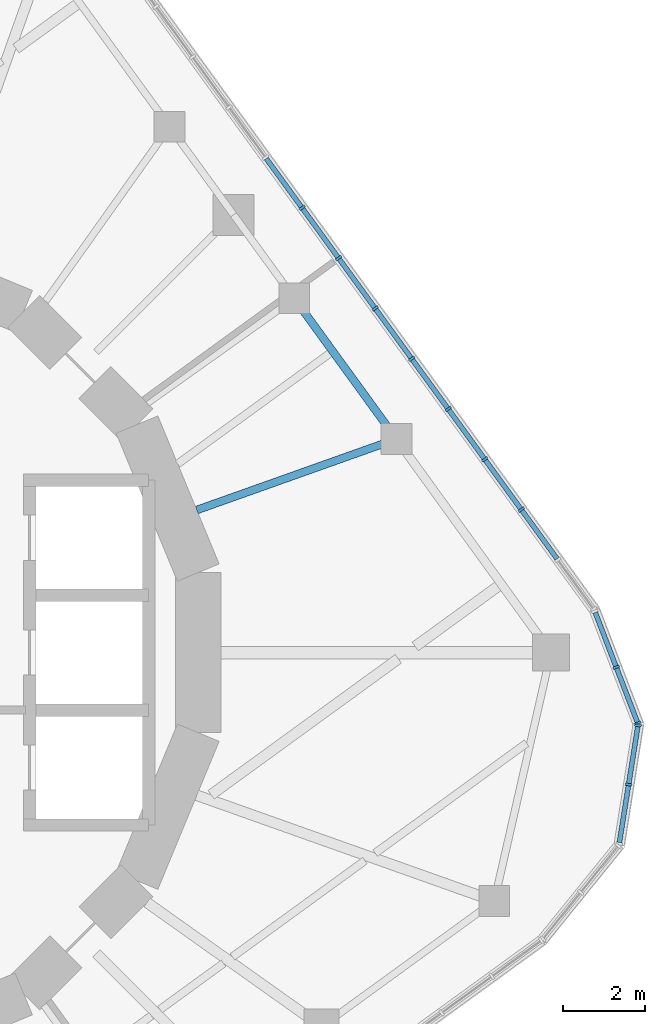
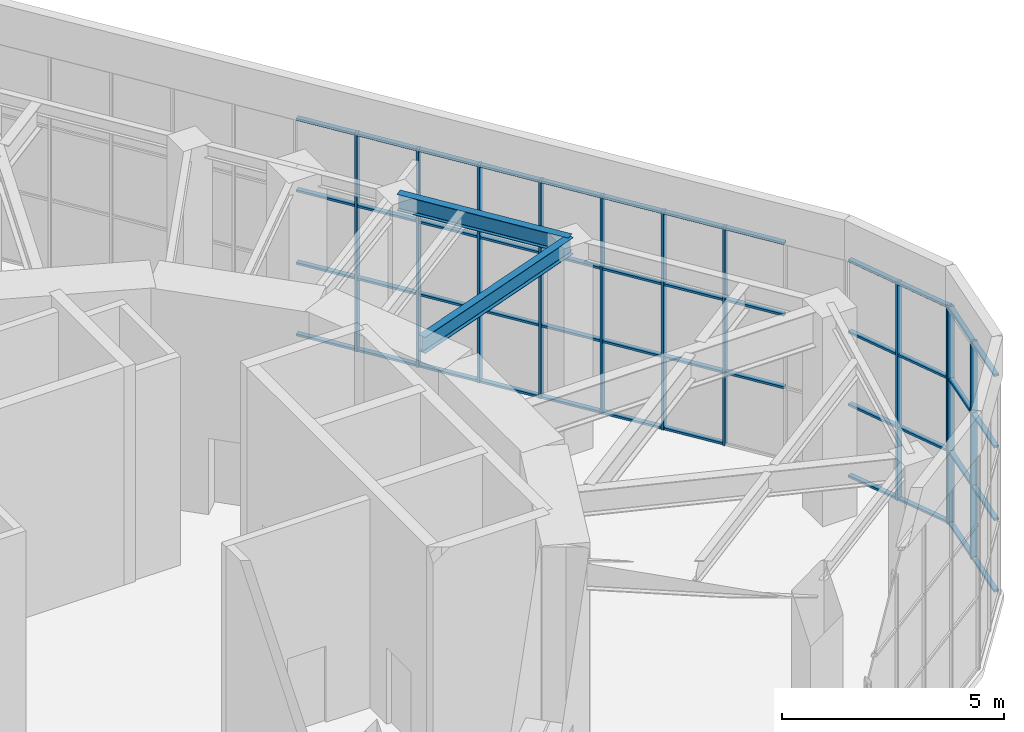
# One storey, part 8 of 17: 58 members, 2 beams, 3 elements without a shape of their own.
"""IFC4 building model written with IfcOpenShell, lengths in metres."""

from ifc_helpers import new_model, si_unit, direction, frame, origin, origin_2d, place, context, subcontext, project, spatial, rectangle, i_section, extrude, material, material_profile, profile_set, type_object, element, aggregate, save


model = new_model("IFC4")

# Units and contexts
model_context = context("Model", 3, precision=1e-05, world=origin(), true_north=direction((0.0, 1.0)))
body_context = subcontext(model_context, "Body", "Model", "MODEL_VIEW")
ifc_project = project(units=[si_unit("LENGTHUNIT", "METRE"), si_unit("AREAUNIT", "SQUARE_METRE"), si_unit("VOLUMEUNIT", "CUBIC_METRE"), si_unit("PLANEANGLEUNIT", "RADIAN"), si_unit("MASSUNIT", "GRAM", prefix="KILO")], contexts=[model_context])

# Site, building, storey
site_placement = place(None, origin())
site = spatial("IfcSite", under=ifc_project, at=site_placement, CompositionType="ELEMENT")
building_placement = place(site_placement, origin())
building = spatial("IfcBuilding", under=site, at=building_placement, Name="Nakasero Lantern House", CompositionType="ELEMENT")
storey_placement = place(building_placement, frame((0.0, 0.0, 304.39990234375)))
storey = spatial("IfcBuildingStorey", under=building, at=storey_placement, Name="L74", CompositionType="ELEMENT", Elevation=304.39990234375)

# Curtain wall, members
ifc_material_1 = material(Name="Aluminium 6063-T6 and glass", Category="aluminium")
curtain_wall_type = type_object("IfcCurtainWallType", Name="Lantern glazing CW-4", PredefinedType="USERDEFINED", material=ifc_material_1)
curtain_wall_1_placement = place(storey_placement, origin())
curtain_wall_1 = element("IfcCurtainWall", 1, at=curtain_wall_1_placement, inside=storey, type_object=curtain_wall_type, Name="Curtain wall CW-4 L74", ObjectType="UNITISED CURTAIN WALL", PredefinedType="USERDEFINED")
ifc_material_2 = material(Name="Aluminium 6063-T6", Category="aluminium")
ifc_material_profile_1 = material_profile(ifc_material_2, rectangle(XDim=0.06005859375, YDim=0.159912109375, at=origin_2d()), Name="CW-4 mullion 60x160")
ifc_profile_set_1 = profile_set([ifc_material_profile_1], Name="Aluminium 6063-T6")
member_type_1 = type_object("IfcMemberType", Name="Mullion CW-4", PredefinedType="MULLION", material=ifc_profile_set_1)
member_1_placement = place(storey_placement, frame((17.677734375, 3.48486328125, 0.0), z_axis=(0.0, 0.0, 1.0), x_axis=(-0.587785252292, 0.809016994375, 0.0)))
member_1 = element("IfcMember", 2, at=member_1_placement, type_object=member_type_1, Name="CW-4 mullion 3", PredefinedType="MULLION", context=body_context, shape_type="SweptSolid", body=[
    extrude(rectangle(XDim=0.06005859375, YDim=0.159912109375, at=origin_2d()), origin(), (0.0, 0.0, 1.0), 6.0),
])
member_2_placement = place(storey_placement, frame((16.787841796875, 4.7099609375, 0.0), z_axis=(0.0, 0.0, 1.0), x_axis=(-0.587785252292, 0.809016994375, 0.0)))
member_2 = element("IfcMember", 3, at=member_2_placement, type_object=member_type_1, Name="CW-4 mullion 4", PredefinedType="MULLION", context=body_context, shape_type="SweptSolid", body=[
    extrude(rectangle(XDim=0.06005859375, YDim=0.159912109375, at=origin_2d()), origin(), (0.0, 0.0, 1.0), 6.0),
])
member_3_placement = place(storey_placement, frame((15.897705078125, 5.93505859375, 0.0), z_axis=(0.0, 0.0, 1.0), x_axis=(-0.587785252292, 0.809016994375, 0.0)))
member_3 = element("IfcMember", 4, at=member_3_placement, type_object=member_type_1, Name="CW-4 mullion 5", PredefinedType="MULLION", context=body_context, shape_type="SweptSolid", body=[
    extrude(rectangle(XDim=0.06005859375, YDim=0.159912109375, at=origin_2d()), origin(), (0.0, 0.0, 1.0), 6.0),
])
member_4_placement = place(storey_placement, frame((15.007568359375, 7.16015625, 0.0), z_axis=(0.0, 0.0, 1.0), x_axis=(-0.587785252292, 0.809016994375, 0.0)))
member_4 = element("IfcMember", 5, at=member_4_placement, type_object=member_type_1, Name="CW-4 mullion 6", PredefinedType="MULLION", context=body_context, shape_type="SweptSolid", body=[
    extrude(rectangle(XDim=0.06005859375, YDim=0.159912109375, at=origin_2d()), origin(), (0.0, 0.0, 1.0), 6.0),
])
member_5_placement = place(storey_placement, frame((14.117431640625, 8.38525390625, 0.0), z_axis=(0.0, 0.0, 1.0), x_axis=(-0.587785252292, 0.809016994375, 0.0)))
member_5 = element("IfcMember", 6, at=member_5_placement, type_object=member_type_1, Name="CW-4 mullion 7", PredefinedType="MULLION", context=body_context, shape_type="SweptSolid", body=[
    extrude(rectangle(XDim=0.06005859375, YDim=0.159912109375, at=origin_2d()), origin(), (0.0, 0.0, 1.0), 6.0),
])
member_6_placement = place(storey_placement, frame((13.2275390625, 9.6103515625, 0.0), z_axis=(0.0, 0.0, 1.0), x_axis=(-0.587785252292, 0.809016994375, 0.0)))
member_6 = element("IfcMember", 7, at=member_6_placement, type_object=member_type_1, Name="CW-4 mullion 8", PredefinedType="MULLION", context=body_context, shape_type="SweptSolid", body=[
    extrude(rectangle(XDim=0.06005859375, YDim=0.159912109375, at=origin_2d()), origin(), (0.0, 0.0, 1.0), 6.0),
])
member_7_placement = place(storey_placement, frame((12.33740234375, 10.83544921875, 0.0), z_axis=(0.0, 0.0, 1.0), x_axis=(-0.587785252292, 0.809016994375, 0.0)))
member_7 = element("IfcMember", 8, at=member_7_placement, type_object=member_type_1, Name="CW-4 mullion 9", PredefinedType="MULLION", context=body_context, shape_type="SweptSolid", body=[
    extrude(rectangle(XDim=0.06005859375, YDim=0.159912109375, at=origin_2d()), origin(), (0.0, 0.0, 1.0), 6.0),
])

curtain_wall_2_placement = place(storey_placement, origin())
curtain_wall_2 = element("IfcCurtainWall", 9, at=curtain_wall_2_placement, inside=storey, type_object=curtain_wall_type, Name="Curtain wall CW-4 L74", ObjectType="UNITISED CURTAIN WALL", PredefinedType="USERDEFINED")
member_8_placement = place(storey_placement, frame((20.291748046875, -3.2138671875, 0.0), z_axis=(0.0, 0.0, 1.0), x_axis=(0.15643446504, 0.987688340595, 0.0)))
member_8 = element("IfcMember", 10, at=member_8_placement, type_object=member_type_1, Name="CW-4 mullion 2", PredefinedType="MULLION", context=body_context, shape_type="SweptSolid", body=[
    extrude(rectangle(XDim=0.06005859375, YDim=0.159912109375, at=origin_2d()), origin(), (0.0, 0.0, 1.0), 6.0),
])
member_9_placement = place(storey_placement, frame((20.52001953125, -1.773681640625, 0.0), z_axis=(0.0, 0.0, 1.0), x_axis=(0.15643446504, 0.987688340595, 0.0)))
member_9 = element("IfcMember", 11, at=member_9_placement, type_object=member_type_1, Name="CW-4 mullion 3", PredefinedType="MULLION", context=body_context, shape_type="SweptSolid", body=[
    extrude(rectangle(XDim=0.06005859375, YDim=0.159912109375, at=origin_2d()), origin(), (0.0, 0.0, 1.0), 6.0),
])

curtain_wall_3_placement = place(storey_placement, origin())
curtain_wall_3 = element("IfcCurtainWall", 12, at=curtain_wall_3_placement, inside=storey, type_object=curtain_wall_type, Name="Curtain wall CW-4 L74", ObjectType="UNITISED CURTAIN WALL", PredefinedType="USERDEFINED")
member_10_placement = place(storey_placement, frame((20.513916015625, -1.716064453125, 0.0), z_axis=(0.0, 0.0, 1.0), x_axis=(-0.358367949545, 0.933580426497, 0.0)))
member_10 = element("IfcMember", 13, at=member_10_placement, type_object=member_type_1, Name="CW-4 mullion 1", PredefinedType="MULLION", context=body_context, shape_type="SweptSolid", body=[
    extrude(rectangle(XDim=0.06005859375, YDim=0.159912109375, at=origin_2d()), origin(), (0.0, 0.0, 1.0), 6.0),
])
member_11_placement = place(storey_placement, frame((19.9912109375, -0.354736328125, 0.0), z_axis=(0.0, 0.0, 1.0), x_axis=(-0.358367949545, 0.933580426497, 0.0)))
member_11 = element("IfcMember", 14, at=member_11_placement, type_object=member_type_1, Name="CW-4 mullion 2", PredefinedType="MULLION", context=body_context, shape_type="SweptSolid", body=[
    extrude(rectangle(XDim=0.06005859375, YDim=0.159912109375, at=origin_2d()), origin(), (0.0, 0.0, 1.0), 6.0),
])

# Beams
ifc_material_3 = material(Name="Steel S355", Category="steel")
ifc_material_profile_2 = material_profile(ifc_material_3, i_section(OverallWidth=0.18994140625, OverallDepth=0.453369140625, WebThickness=0.008544921875, FlangeThickness=0.0126953125, FilletRadius=0.01025390625, at=origin_2d()), Name="UB 457x191x67")
ifc_profile_set_2 = profile_set([ifc_material_profile_2], Name="Steel S355")
beam_type_1 = type_object("IfcBeamType", Name="Primary beam UB 457x191x67, span to 6 m", PredefinedType="BEAM", material=ifc_profile_set_2)
beam_1_placement = place(storey_placement, frame((14.636474609375, 5.2041015625, 5.5234375), z_axis=(-0.942221324153, -0.3349910093, 0.0), x_axis=(0.3349910093, -0.942221324153, 0.0)))
element("IfcBeam", 15, at=beam_1_placement, inside=storey, type_object=beam_type_1, Name="Primary beam ROOF B7-C04", PredefinedType="BEAM", context=body_context, shape_type="SweptSolid", body=[
    extrude(i_section(OverallWidth=0.18994140625, OverallDepth=0.453369140625, WebThickness=0.008544921875, FlangeThickness=0.0126953125, FilletRadius=0.01025390625, at=origin_2d()), origin(), (0.0, 0.0, 1.0), 5.162841796875),
])
ifc_material_4 = material(Name="Steel S355", Category="steel")
ifc_material_profile_3 = material_profile(ifc_material_4, i_section(OverallWidth=0.18994140625, OverallDepth=0.453369140625, WebThickness=0.008544921875, FlangeThickness=0.0126953125, FilletRadius=0.01025390625, at=origin_2d()), Name="UB 457x191x67")
ifc_profile_set_3 = profile_set([ifc_material_profile_3], Name="Steel S355")
beam_type_2 = type_object("IfcBeamType", Name="Ring beam UB 457x191x67", PredefinedType="BEAM", material=ifc_profile_set_3)
beam_2_placement = place(storey_placement, frame((14.636474609375, 5.2041015625, 5.5234375), z_axis=(-0.587791706687, 0.809012304944, 0.0), x_axis=(-0.809012304944, -0.587791706687, 0.0)))
element("IfcBeam", 16, at=beam_2_placement, inside=storey, type_object=beam_type_2, Name="Ring beam ROOF B7-C04", PredefinedType="BEAM", context=body_context, shape_type="SweptSolid", body=[
    extrude(i_section(OverallWidth=0.18994140625, OverallDepth=0.453369140625, WebThickness=0.008544921875, FlangeThickness=0.0126953125, FilletRadius=0.01025390625, at=origin_2d()), origin(), (0.0, 0.0, 1.0), 4.2412109375),
])

# Member
ifc_material_5 = material(Name="Aluminium 6063-T6", Category="aluminium")
ifc_material_profile_4 = material_profile(ifc_material_5, rectangle(XDim=0.06005859375, YDim=0.1201171875, at=origin_2d()), Name="CW-4 transom 60x120")
ifc_profile_set_4 = profile_set([ifc_material_profile_4], Name="Aluminium 6063-T6")
member_type_2 = type_object("IfcMemberType", Name="Transom CW-4", PredefinedType="USERDEFINED", material=ifc_profile_set_4)
member_12_placement = place(storey_placement, frame((18.55029296875, 2.2841796875, 2.0), z_axis=(-0.587762348068, 0.809033634773, 0.0), x_axis=(0.0, 0.0, 1.0)))
member_12 = element("IfcMember", 17, at=member_12_placement, type_object=member_type_2, Name="CW-4 transom 2.2", ObjectType="TRANSOM", PredefinedType="USERDEFINED", context=body_context, shape_type="SweptSolid", body=[
    extrude(rectangle(XDim=0.06005859375, YDim=0.1201171875, at=origin_2d()), origin(), (0.0, 0.0, 1.0), 1.4541015625),
])

member_13_placement = place(storey_placement, frame((18.55029296875, 2.2841796875, 4.0), z_axis=(-0.587762348068, 0.809033634773, 0.0), x_axis=(0.0, 0.0, 1.0)))
member_13 = element("IfcMember", 18, at=member_13_placement, type_object=member_type_2, Name="CW-4 transom 2.3", ObjectType="TRANSOM", PredefinedType="USERDEFINED", context=body_context, shape_type="SweptSolid", body=[
    extrude(rectangle(XDim=0.06005859375, YDim=0.1201171875, at=origin_2d()), origin(), (0.0, 0.0, 1.0), 1.4541015625),
])

member_14_placement = place(storey_placement, frame((18.55029296875, 2.2841796875, 5.97021484375), z_axis=(-0.587762348068, 0.809033634773, 0.0), x_axis=(0.0, 0.0, 1.0)))
member_14 = element("IfcMember", 19, at=member_14_placement, type_object=member_type_2, Name="CW-4 transom 2.4", ObjectType="TRANSOM", PredefinedType="USERDEFINED", context=body_context, shape_type="SweptSolid", body=[
    extrude(rectangle(XDim=0.06005859375, YDim=0.1201171875, at=origin_2d()), origin(), (0.0, 0.0, 1.0), 1.4541015625),
])

member_15_placement = place(storey_placement, frame((17.66015625, 3.509033203125, 0.030029296875), z_axis=(-0.587682523869, 0.809091620979, 0.0), x_axis=(0.0, 0.0, 1.0)))
member_15 = element("IfcMember", 20, at=member_15_placement, type_object=member_type_2, Name="CW-4 transom 3.1", ObjectType="TRANSOM", PredefinedType="USERDEFINED", context=body_context, shape_type="SweptSolid", body=[
    extrude(rectangle(XDim=0.06005859375, YDim=0.1201171875, at=origin_2d()), origin(), (0.0, 0.0, 1.0), 1.454345703125),
])

member_16_placement = place(storey_placement, frame((17.66015625, 3.509033203125, 2.0), z_axis=(-0.587682523869, 0.809091620979, 0.0), x_axis=(0.0, 0.0, 1.0)))
member_16 = element("IfcMember", 21, at=member_16_placement, type_object=member_type_2, Name="CW-4 transom 3.2", ObjectType="TRANSOM", PredefinedType="USERDEFINED", context=body_context, shape_type="SweptSolid", body=[
    extrude(rectangle(XDim=0.06005859375, YDim=0.1201171875, at=origin_2d()), origin(), (0.0, 0.0, 1.0), 1.454345703125),
])

member_17_placement = place(storey_placement, frame((17.66015625, 3.509033203125, 4.0), z_axis=(-0.587682523869, 0.809091620979, 0.0), x_axis=(0.0, 0.0, 1.0)))
member_17 = element("IfcMember", 22, at=member_17_placement, type_object=member_type_2, Name="CW-4 transom 3.3", ObjectType="TRANSOM", PredefinedType="USERDEFINED", context=body_context, shape_type="SweptSolid", body=[
    extrude(rectangle(XDim=0.06005859375, YDim=0.1201171875, at=origin_2d()), origin(), (0.0, 0.0, 1.0), 1.454345703125),
])

member_18_placement = place(storey_placement, frame((17.66015625, 3.509033203125, 5.97021484375), z_axis=(-0.587682523869, 0.809091620979, 0.0), x_axis=(0.0, 0.0, 1.0)))
member_18 = element("IfcMember", 23, at=member_18_placement, type_object=member_type_2, Name="CW-4 transom 3.4", ObjectType="TRANSOM", PredefinedType="USERDEFINED", context=body_context, shape_type="SweptSolid", body=[
    extrude(rectangle(XDim=0.06005859375, YDim=0.1201171875, at=origin_2d()), origin(), (0.0, 0.0, 1.0), 1.454345703125),
])

member_19_placement = place(storey_placement, frame((16.77001953125, 4.734130859375, 0.030029296875), z_axis=(-0.587682523869, 0.809091620979, 0.0), x_axis=(0.0, 0.0, 1.0)))
member_19 = element("IfcMember", 24, at=member_19_placement, type_object=member_type_2, Name="CW-4 transom 4.1", ObjectType="TRANSOM", PredefinedType="USERDEFINED", context=body_context, shape_type="SweptSolid", body=[
    extrude(rectangle(XDim=0.06005859375, YDim=0.1201171875, at=origin_2d()), origin(), (0.0, 0.0, 1.0), 1.454345703125),
])

member_20_placement = place(storey_placement, frame((16.77001953125, 4.734130859375, 2.0), z_axis=(-0.587682523869, 0.809091620979, 0.0), x_axis=(0.0, 0.0, 1.0)))
member_20 = element("IfcMember", 25, at=member_20_placement, type_object=member_type_2, Name="CW-4 transom 4.2", ObjectType="TRANSOM", PredefinedType="USERDEFINED", context=body_context, shape_type="SweptSolid", body=[
    extrude(rectangle(XDim=0.06005859375, YDim=0.1201171875, at=origin_2d()), origin(), (0.0, 0.0, 1.0), 1.454345703125),
])

member_21_placement = place(storey_placement, frame((16.77001953125, 4.734130859375, 4.0), z_axis=(-0.587682523869, 0.809091620979, 0.0), x_axis=(0.0, 0.0, 1.0)))
member_21 = element("IfcMember", 26, at=member_21_placement, type_object=member_type_2, Name="CW-4 transom 4.3", ObjectType="TRANSOM", PredefinedType="USERDEFINED", context=body_context, shape_type="SweptSolid", body=[
    extrude(rectangle(XDim=0.06005859375, YDim=0.1201171875, at=origin_2d()), origin(), (0.0, 0.0, 1.0), 1.454345703125),
])

member_22_placement = place(storey_placement, frame((16.77001953125, 4.734130859375, 5.97021484375), z_axis=(-0.587682523869, 0.809091620979, 0.0), x_axis=(0.0, 0.0, 1.0)))
member_22 = element("IfcMember", 27, at=member_22_placement, type_object=member_type_2, Name="CW-4 transom 4.4", ObjectType="TRANSOM", PredefinedType="USERDEFINED", context=body_context, shape_type="SweptSolid", body=[
    extrude(rectangle(XDim=0.06005859375, YDim=0.1201171875, at=origin_2d()), origin(), (0.0, 0.0, 1.0), 1.454345703125),
])

member_23_placement = place(storey_placement, frame((15.880126953125, 5.959228515625, 0.030029296875), z_axis=(-0.587872217916, 0.808953803009, 0.0), x_axis=(0.0, 0.0, 1.0)))
member_23 = element("IfcMember", 28, at=member_23_placement, type_object=member_type_2, Name="CW-4 transom 5.1", ObjectType="TRANSOM", PredefinedType="USERDEFINED", context=body_context, shape_type="SweptSolid", body=[
    extrude(rectangle(XDim=0.06005859375, YDim=0.1201171875, at=origin_2d()), origin(), (0.0, 0.0, 1.0), 1.454345703125),
])

member_24_placement = place(storey_placement, frame((15.880126953125, 5.959228515625, 2.0), z_axis=(-0.587872217916, 0.808953803009, 0.0), x_axis=(0.0, 0.0, 1.0)))
member_24 = element("IfcMember", 29, at=member_24_placement, type_object=member_type_2, Name="CW-4 transom 5.2", ObjectType="TRANSOM", PredefinedType="USERDEFINED", context=body_context, shape_type="SweptSolid", body=[
    extrude(rectangle(XDim=0.06005859375, YDim=0.1201171875, at=origin_2d()), origin(), (0.0, 0.0, 1.0), 1.454345703125),
])

member_25_placement = place(storey_placement, frame((15.880126953125, 5.959228515625, 4.0), z_axis=(-0.587872217916, 0.808953803009, 0.0), x_axis=(0.0, 0.0, 1.0)))
member_25 = element("IfcMember", 30, at=member_25_placement, type_object=member_type_2, Name="CW-4 transom 5.3", ObjectType="TRANSOM", PredefinedType="USERDEFINED", context=body_context, shape_type="SweptSolid", body=[
    extrude(rectangle(XDim=0.06005859375, YDim=0.1201171875, at=origin_2d()), origin(), (0.0, 0.0, 1.0), 1.454345703125),
])

member_26_placement = place(storey_placement, frame((15.880126953125, 5.959228515625, 5.97021484375), z_axis=(-0.587872217916, 0.808953803009, 0.0), x_axis=(0.0, 0.0, 1.0)))
member_26 = element("IfcMember", 31, at=member_26_placement, type_object=member_type_2, Name="CW-4 transom 5.4", ObjectType="TRANSOM", PredefinedType="USERDEFINED", context=body_context, shape_type="SweptSolid", body=[
    extrude(rectangle(XDim=0.06005859375, YDim=0.1201171875, at=origin_2d()), origin(), (0.0, 0.0, 1.0), 1.454345703125),
])

member_27_placement = place(storey_placement, frame((14.989990234375, 7.184326171875, 0.030029296875), z_axis=(-0.587762348068, 0.809033634773, 0.0), x_axis=(0.0, 0.0, 1.0)))
member_27 = element("IfcMember", 32, at=member_27_placement, type_object=member_type_2, Name="CW-4 transom 6.1", ObjectType="TRANSOM", PredefinedType="USERDEFINED", context=body_context, shape_type="SweptSolid", body=[
    extrude(rectangle(XDim=0.06005859375, YDim=0.1201171875, at=origin_2d()), origin(), (0.0, 0.0, 1.0), 1.4541015625),
])

member_28_placement = place(storey_placement, frame((14.989990234375, 7.184326171875, 2.0), z_axis=(-0.587762348068, 0.809033634773, 0.0), x_axis=(0.0, 0.0, 1.0)))
member_28 = element("IfcMember", 33, at=member_28_placement, type_object=member_type_2, Name="CW-4 transom 6.2", ObjectType="TRANSOM", PredefinedType="USERDEFINED", context=body_context, shape_type="SweptSolid", body=[
    extrude(rectangle(XDim=0.06005859375, YDim=0.1201171875, at=origin_2d()), origin(), (0.0, 0.0, 1.0), 1.4541015625),
])

member_29_placement = place(storey_placement, frame((14.989990234375, 7.184326171875, 4.0), z_axis=(-0.587762348068, 0.809033634773, 0.0), x_axis=(0.0, 0.0, 1.0)))
member_29 = element("IfcMember", 34, at=member_29_placement, type_object=member_type_2, Name="CW-4 transom 6.3", ObjectType="TRANSOM", PredefinedType="USERDEFINED", context=body_context, shape_type="SweptSolid", body=[
    extrude(rectangle(XDim=0.06005859375, YDim=0.1201171875, at=origin_2d()), origin(), (0.0, 0.0, 1.0), 1.4541015625),
])

member_30_placement = place(storey_placement, frame((14.989990234375, 7.184326171875, 5.97021484375), z_axis=(-0.587762348068, 0.809033634773, 0.0), x_axis=(0.0, 0.0, 1.0)))
member_30 = element("IfcMember", 35, at=member_30_placement, type_object=member_type_2, Name="CW-4 transom 6.4", ObjectType="TRANSOM", PredefinedType="USERDEFINED", context=body_context, shape_type="SweptSolid", body=[
    extrude(rectangle(XDim=0.06005859375, YDim=0.1201171875, at=origin_2d()), origin(), (0.0, 0.0, 1.0), 1.4541015625),
])

member_31_placement = place(storey_placement, frame((14.099853515625, 8.409423828125, 0.030029296875), z_axis=(-0.587762348068, 0.809033634773, 0.0), x_axis=(0.0, 0.0, 1.0)))
member_31 = element("IfcMember", 36, at=member_31_placement, type_object=member_type_2, Name="CW-4 transom 7.1", ObjectType="TRANSOM", PredefinedType="USERDEFINED", context=body_context, shape_type="SweptSolid", body=[
    extrude(rectangle(XDim=0.06005859375, YDim=0.1201171875, at=origin_2d()), origin(), (0.0, 0.0, 1.0), 1.4541015625),
])

member_32_placement = place(storey_placement, frame((14.099853515625, 8.409423828125, 2.0), z_axis=(-0.587762348068, 0.809033634773, 0.0), x_axis=(0.0, 0.0, 1.0)))
member_32 = element("IfcMember", 37, at=member_32_placement, type_object=member_type_2, Name="CW-4 transom 7.2", ObjectType="TRANSOM", PredefinedType="USERDEFINED", context=body_context, shape_type="SweptSolid", body=[
    extrude(rectangle(XDim=0.06005859375, YDim=0.1201171875, at=origin_2d()), origin(), (0.0, 0.0, 1.0), 1.4541015625),
])

member_33_placement = place(storey_placement, frame((14.099853515625, 8.409423828125, 4.0), z_axis=(-0.587762348068, 0.809033634773, 0.0), x_axis=(0.0, 0.0, 1.0)))
member_33 = element("IfcMember", 38, at=member_33_placement, type_object=member_type_2, Name="CW-4 transom 7.3", ObjectType="TRANSOM", PredefinedType="USERDEFINED", context=body_context, shape_type="SweptSolid", body=[
    extrude(rectangle(XDim=0.06005859375, YDim=0.1201171875, at=origin_2d()), origin(), (0.0, 0.0, 1.0), 1.4541015625),
])

member_34_placement = place(storey_placement, frame((14.099853515625, 8.409423828125, 5.97021484375), z_axis=(-0.587762348068, 0.809033634773, 0.0), x_axis=(0.0, 0.0, 1.0)))
member_34 = element("IfcMember", 39, at=member_34_placement, type_object=member_type_2, Name="CW-4 transom 7.4", ObjectType="TRANSOM", PredefinedType="USERDEFINED", context=body_context, shape_type="SweptSolid", body=[
    extrude(rectangle(XDim=0.06005859375, YDim=0.1201171875, at=origin_2d()), origin(), (0.0, 0.0, 1.0), 1.4541015625),
])

member_35_placement = place(storey_placement, frame((13.209716796875, 9.634521484375, 0.030029296875), z_axis=(-0.587762348068, 0.809033634773, 0.0), x_axis=(0.0, 0.0, 1.0)))
member_35 = element("IfcMember", 40, at=member_35_placement, type_object=member_type_2, Name="CW-4 transom 8.1", ObjectType="TRANSOM", PredefinedType="USERDEFINED", context=body_context, shape_type="SweptSolid", body=[
    extrude(rectangle(XDim=0.06005859375, YDim=0.1201171875, at=origin_2d()), origin(), (0.0, 0.0, 1.0), 1.4541015625),
])

member_36_placement = place(storey_placement, frame((13.209716796875, 9.634521484375, 2.0), z_axis=(-0.587762348068, 0.809033634773, 0.0), x_axis=(0.0, 0.0, 1.0)))
member_36 = element("IfcMember", 41, at=member_36_placement, type_object=member_type_2, Name="CW-4 transom 8.2", ObjectType="TRANSOM", PredefinedType="USERDEFINED", context=body_context, shape_type="SweptSolid", body=[
    extrude(rectangle(XDim=0.06005859375, YDim=0.1201171875, at=origin_2d()), origin(), (0.0, 0.0, 1.0), 1.4541015625),
])

member_37_placement = place(storey_placement, frame((13.209716796875, 9.634521484375, 4.0), z_axis=(-0.587762348068, 0.809033634773, 0.0), x_axis=(0.0, 0.0, 1.0)))
member_37 = element("IfcMember", 42, at=member_37_placement, type_object=member_type_2, Name="CW-4 transom 8.3", ObjectType="TRANSOM", PredefinedType="USERDEFINED", context=body_context, shape_type="SweptSolid", body=[
    extrude(rectangle(XDim=0.06005859375, YDim=0.1201171875, at=origin_2d()), origin(), (0.0, 0.0, 1.0), 1.4541015625),
])

member_38_placement = place(storey_placement, frame((13.209716796875, 9.634521484375, 5.97021484375), z_axis=(-0.587762348068, 0.809033634773, 0.0), x_axis=(0.0, 0.0, 1.0)))
member_38 = element("IfcMember", 43, at=member_38_placement, type_object=member_type_2, Name="CW-4 transom 8.4", ObjectType="TRANSOM", PredefinedType="USERDEFINED", context=body_context, shape_type="SweptSolid", body=[
    extrude(rectangle(XDim=0.06005859375, YDim=0.1201171875, at=origin_2d()), origin(), (0.0, 0.0, 1.0), 1.4541015625),
])

member_39_placement = place(storey_placement, frame((12.31982421875, 10.859619140625, 0.030029296875), z_axis=(-0.587872217916, 0.808953803009, 0.0), x_axis=(0.0, 0.0, 1.0)))
member_39 = element("IfcMember", 44, at=member_39_placement, type_object=member_type_2, Name="CW-4 transom 9.1", ObjectType="TRANSOM", PredefinedType="USERDEFINED", context=body_context, shape_type="SweptSolid", body=[
    extrude(rectangle(XDim=0.06005859375, YDim=0.1201171875, at=origin_2d()), origin(), (0.0, 0.0, 1.0), 1.454345703125),
])

member_40_placement = place(storey_placement, frame((12.31982421875, 10.859619140625, 2.0), z_axis=(-0.587872217916, 0.808953803009, 0.0), x_axis=(0.0, 0.0, 1.0)))
member_40 = element("IfcMember", 45, at=member_40_placement, type_object=member_type_2, Name="CW-4 transom 9.2", ObjectType="TRANSOM", PredefinedType="USERDEFINED", context=body_context, shape_type="SweptSolid", body=[
    extrude(rectangle(XDim=0.06005859375, YDim=0.1201171875, at=origin_2d()), origin(), (0.0, 0.0, 1.0), 1.454345703125),
])

member_41_placement = place(storey_placement, frame((12.31982421875, 10.859619140625, 4.0), z_axis=(-0.587872217916, 0.808953803009, 0.0), x_axis=(0.0, 0.0, 1.0)))
member_41 = element("IfcMember", 46, at=member_41_placement, type_object=member_type_2, Name="CW-4 transom 9.3", ObjectType="TRANSOM", PredefinedType="USERDEFINED", context=body_context, shape_type="SweptSolid", body=[
    extrude(rectangle(XDim=0.06005859375, YDim=0.1201171875, at=origin_2d()), origin(), (0.0, 0.0, 1.0), 1.454345703125),
])

member_42_placement = place(storey_placement, frame((12.31982421875, 10.859619140625, 5.97021484375), z_axis=(-0.587872217916, 0.808953803009, 0.0), x_axis=(0.0, 0.0, 1.0)))
member_42 = element("IfcMember", 47, at=member_42_placement, type_object=member_type_2, Name="CW-4 transom 9.4", ObjectType="TRANSOM", PredefinedType="USERDEFINED", context=body_context, shape_type="SweptSolid", body=[
    extrude(rectangle(XDim=0.06005859375, YDim=0.1201171875, at=origin_2d()), origin(), (0.0, 0.0, 1.0), 1.454345703125),
])

aggregate(curtain_wall_1, [member_1, member_2, member_3, member_4, member_5, member_6, member_7, member_12, member_13, member_14, member_15, member_16, member_17, member_18, member_19, member_20, member_21, member_22, member_23, member_24, member_25, member_26, member_27, member_28, member_29, member_30, member_31, member_32, member_33, member_34, member_35, member_36, member_37, member_38, member_39, member_40, member_41, member_42])

member_43_placement = place(storey_placement, frame((20.068359375, -4.62451171875, 0.030029296875), z_axis=(0.156464720495, 0.987683548127, 0.0), x_axis=(0.0, 0.0, 1.0)))
member_43 = element("IfcMember", 48, at=member_43_placement, type_object=member_type_2, Name="CW-4 transom 1.1", ObjectType="TRANSOM", PredefinedType="USERDEFINED", context=body_context, shape_type="SweptSolid", body=[
    extrude(rectangle(XDim=0.06005859375, YDim=0.1201171875, at=origin_2d()), origin(), (0.0, 0.0, 1.0), 1.398193359375),
])

member_44_placement = place(storey_placement, frame((20.068359375, -4.62451171875, 2.0), z_axis=(0.156464720495, 0.987683548127, 0.0), x_axis=(0.0, 0.0, 1.0)))
member_44 = element("IfcMember", 49, at=member_44_placement, type_object=member_type_2, Name="CW-4 transom 1.2", ObjectType="TRANSOM", PredefinedType="USERDEFINED", context=body_context, shape_type="SweptSolid", body=[
    extrude(rectangle(XDim=0.06005859375, YDim=0.1201171875, at=origin_2d()), origin(), (0.0, 0.0, 1.0), 1.398193359375),
])

member_45_placement = place(storey_placement, frame((20.068359375, -4.62451171875, 4.0), z_axis=(0.156464720495, 0.987683548127, 0.0), x_axis=(0.0, 0.0, 1.0)))
member_45 = element("IfcMember", 50, at=member_45_placement, type_object=member_type_2, Name="CW-4 transom 1.3", ObjectType="TRANSOM", PredefinedType="USERDEFINED", context=body_context, shape_type="SweptSolid", body=[
    extrude(rectangle(XDim=0.06005859375, YDim=0.1201171875, at=origin_2d()), origin(), (0.0, 0.0, 1.0), 1.398193359375),
])

member_46_placement = place(storey_placement, frame((20.068359375, -4.62451171875, 5.97021484375), z_axis=(0.156464720495, 0.987683548127, 0.0), x_axis=(0.0, 0.0, 1.0)))
member_46 = element("IfcMember", 51, at=member_46_placement, type_object=member_type_2, Name="CW-4 transom 1.4", ObjectType="TRANSOM", PredefinedType="USERDEFINED", context=body_context, shape_type="SweptSolid", body=[
    extrude(rectangle(XDim=0.06005859375, YDim=0.1201171875, at=origin_2d()), origin(), (0.0, 0.0, 1.0), 1.398193359375),
])

member_47_placement = place(storey_placement, frame((20.29638671875, -3.184326171875, 0.030029296875), z_axis=(0.156437738833, 0.987687822072, 0.0), x_axis=(0.0, 0.0, 1.0)))
member_47 = element("IfcMember", 52, at=member_47_placement, type_object=member_type_2, Name="CW-4 transom 2.1", ObjectType="TRANSOM", PredefinedType="USERDEFINED", context=body_context, shape_type="SweptSolid", body=[
    extrude(rectangle(XDim=0.06005859375, YDim=0.1201171875, at=origin_2d()), origin(), (0.0, 0.0, 1.0), 1.3984375),
])

member_48_placement = place(storey_placement, frame((20.29638671875, -3.184326171875, 2.0), z_axis=(0.156437738833, 0.987687822072, 0.0), x_axis=(0.0, 0.0, 1.0)))
member_48 = element("IfcMember", 53, at=member_48_placement, type_object=member_type_2, Name="CW-4 transom 2.2", ObjectType="TRANSOM", PredefinedType="USERDEFINED", context=body_context, shape_type="SweptSolid", body=[
    extrude(rectangle(XDim=0.06005859375, YDim=0.1201171875, at=origin_2d()), origin(), (0.0, 0.0, 1.0), 1.3984375),
])

member_49_placement = place(storey_placement, frame((20.29638671875, -3.184326171875, 4.0), z_axis=(0.156437738833, 0.987687822072, 0.0), x_axis=(0.0, 0.0, 1.0)))
member_49 = element("IfcMember", 54, at=member_49_placement, type_object=member_type_2, Name="CW-4 transom 2.3", ObjectType="TRANSOM", PredefinedType="USERDEFINED", context=body_context, shape_type="SweptSolid", body=[
    extrude(rectangle(XDim=0.06005859375, YDim=0.1201171875, at=origin_2d()), origin(), (0.0, 0.0, 1.0), 1.3984375),
])

member_50_placement = place(storey_placement, frame((20.29638671875, -3.184326171875, 5.97021484375), z_axis=(0.156437738833, 0.987687822072, 0.0), x_axis=(0.0, 0.0, 1.0)))
member_50 = element("IfcMember", 55, at=member_50_placement, type_object=member_type_2, Name="CW-4 transom 2.4", ObjectType="TRANSOM", PredefinedType="USERDEFINED", context=body_context, shape_type="SweptSolid", body=[
    extrude(rectangle(XDim=0.06005859375, YDim=0.1201171875, at=origin_2d()), origin(), (0.0, 0.0, 1.0), 1.3984375),
])

aggregate(curtain_wall_2, [member_8, member_9, member_43, member_44, member_45, member_46, member_47, member_48, member_49, member_50])

member_51_placement = place(storey_placement, frame((20.503173828125, -1.68798828125, 0.030029296875), z_axis=(-0.358440839092, 0.933552443557, 0.0), x_axis=(0.0, 0.0, 1.0)))
member_51 = element("IfcMember", 56, at=member_51_placement, type_object=member_type_2, Name="CW-4 transom 1.1", ObjectType="TRANSOM", PredefinedType="USERDEFINED", context=body_context, shape_type="SweptSolid", body=[
    extrude(rectangle(XDim=0.06005859375, YDim=0.1201171875, at=origin_2d()), origin(), (0.0, 0.0, 1.0), 1.3984375),
])

member_52_placement = place(storey_placement, frame((20.503173828125, -1.68798828125, 2.0), z_axis=(-0.358440839092, 0.933552443557, 0.0), x_axis=(0.0, 0.0, 1.0)))
member_52 = element("IfcMember", 57, at=member_52_placement, type_object=member_type_2, Name="CW-4 transom 1.2", ObjectType="TRANSOM", PredefinedType="USERDEFINED", context=body_context, shape_type="SweptSolid", body=[
    extrude(rectangle(XDim=0.06005859375, YDim=0.1201171875, at=origin_2d()), origin(), (0.0, 0.0, 1.0), 1.3984375),
])

member_53_placement = place(storey_placement, frame((20.503173828125, -1.68798828125, 4.0), z_axis=(-0.358440839092, 0.933552443557, 0.0), x_axis=(0.0, 0.0, 1.0)))
member_53 = element("IfcMember", 58, at=member_53_placement, type_object=member_type_2, Name="CW-4 transom 1.3", ObjectType="TRANSOM", PredefinedType="USERDEFINED", context=body_context, shape_type="SweptSolid", body=[
    extrude(rectangle(XDim=0.06005859375, YDim=0.1201171875, at=origin_2d()), origin(), (0.0, 0.0, 1.0), 1.3984375),
])

member_54_placement = place(storey_placement, frame((20.503173828125, -1.68798828125, 5.97021484375), z_axis=(-0.358440839092, 0.933552443557, 0.0), x_axis=(0.0, 0.0, 1.0)))
member_54 = element("IfcMember", 59, at=member_54_placement, type_object=member_type_2, Name="CW-4 transom 1.4", ObjectType="TRANSOM", PredefinedType="USERDEFINED", context=body_context, shape_type="SweptSolid", body=[
    extrude(rectangle(XDim=0.06005859375, YDim=0.1201171875, at=origin_2d()), origin(), (0.0, 0.0, 1.0), 1.3984375),
])

member_55_placement = place(storey_placement, frame((19.98046875, -0.32666015625, 0.030029296875), z_axis=(-0.35828866289, 0.93361085793, 0.0), x_axis=(0.0, 0.0, 1.0)))
member_55 = element("IfcMember", 60, at=member_55_placement, type_object=member_type_2, Name="CW-4 transom 2.1", ObjectType="TRANSOM", PredefinedType="USERDEFINED", context=body_context, shape_type="SweptSolid", body=[
    extrude(rectangle(XDim=0.06005859375, YDim=0.1201171875, at=origin_2d()), origin(), (0.0, 0.0, 1.0), 1.398193359375),
])

member_56_placement = place(storey_placement, frame((19.98046875, -0.32666015625, 2.0), z_axis=(-0.35828866289, 0.93361085793, 0.0), x_axis=(0.0, 0.0, 1.0)))
member_56 = element("IfcMember", 61, at=member_56_placement, type_object=member_type_2, Name="CW-4 transom 2.2", ObjectType="TRANSOM", PredefinedType="USERDEFINED", context=body_context, shape_type="SweptSolid", body=[
    extrude(rectangle(XDim=0.06005859375, YDim=0.1201171875, at=origin_2d()), origin(), (0.0, 0.0, 1.0), 1.398193359375),
])

member_57_placement = place(storey_placement, frame((19.98046875, -0.32666015625, 4.0), z_axis=(-0.35828866289, 0.93361085793, 0.0), x_axis=(0.0, 0.0, 1.0)))
member_57 = element("IfcMember", 62, at=member_57_placement, type_object=member_type_2, Name="CW-4 transom 2.3", ObjectType="TRANSOM", PredefinedType="USERDEFINED", context=body_context, shape_type="SweptSolid", body=[
    extrude(rectangle(XDim=0.06005859375, YDim=0.1201171875, at=origin_2d()), origin(), (0.0, 0.0, 1.0), 1.398193359375),
])

member_58_placement = place(storey_placement, frame((19.98046875, -0.32666015625, 5.97021484375), z_axis=(-0.35828866289, 0.93361085793, 0.0), x_axis=(0.0, 0.0, 1.0)))
member_58 = element("IfcMember", 63, at=member_58_placement, type_object=member_type_2, Name="CW-4 transom 2.4", ObjectType="TRANSOM", PredefinedType="USERDEFINED", context=body_context, shape_type="SweptSolid", body=[
    extrude(rectangle(XDim=0.06005859375, YDim=0.1201171875, at=origin_2d()), origin(), (0.0, 0.0, 1.0), 1.398193359375),
])

aggregate(curtain_wall_3, [member_10, member_11, member_51, member_52, member_53, member_54, member_55, member_56, member_57, member_58])

save(model, "model.ifc")
